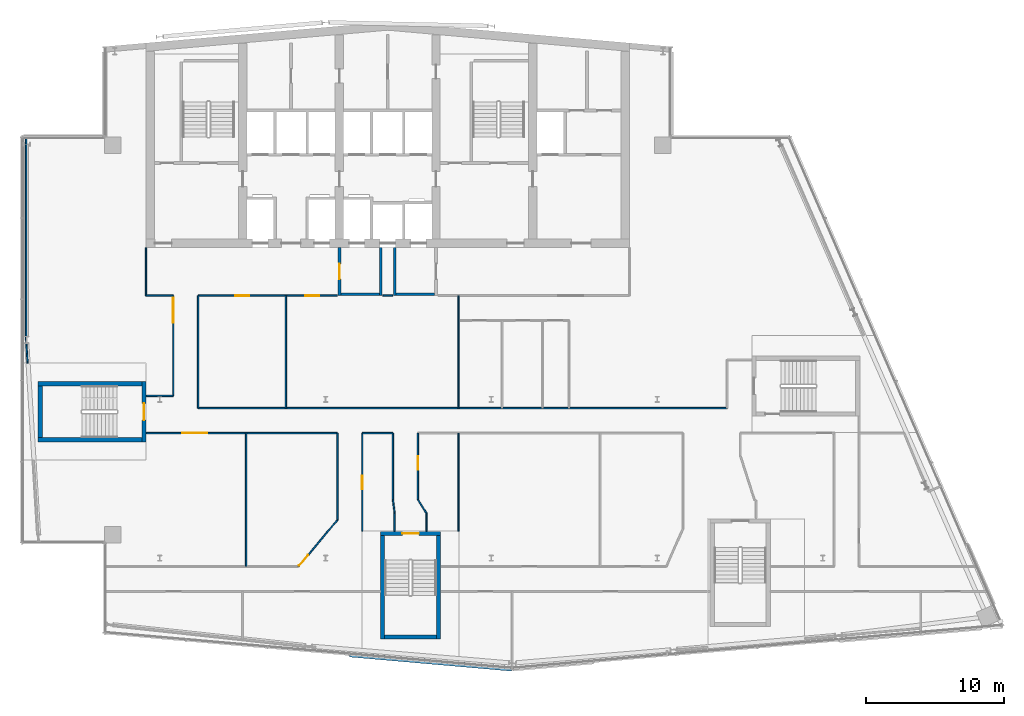
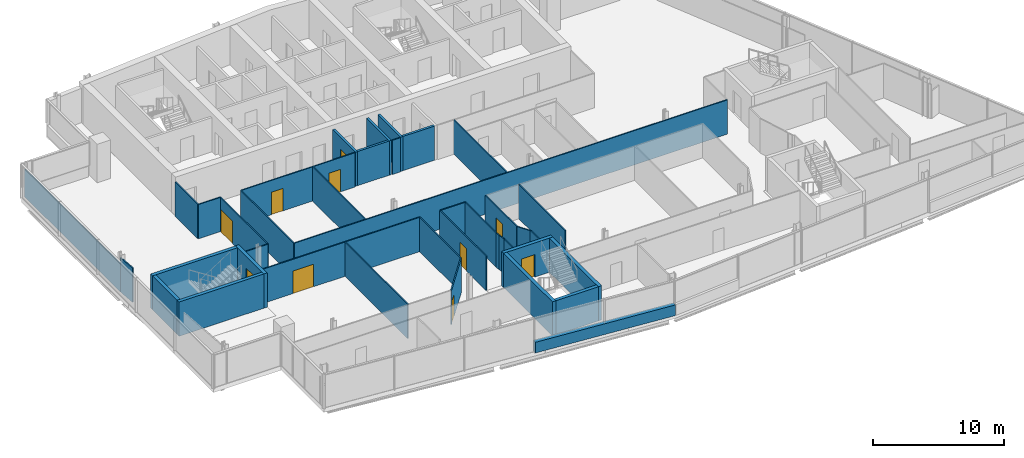
# One storey, part 14 of 22: 40 walls, 10 doors, 10 openings.
"""IFC4 building model written with IfcOpenShell, lengths in metres."""

from ifc_helpers import new_model, si_unit, direction, frame, frame_2d, origin, place, context, subcontext, project, spatial, rectangle, extrude, material, layer, layer_set, type_object, element, fill, save


model = new_model("IFC4")

# Units and contexts
model_context = context("Model", 3, precision=1e-05, world=origin(), true_north=direction((0.0, 1.0)))
body_context = subcontext(model_context, "Body", "Model", "MODEL_VIEW")
ifc_project = project(units=[si_unit("LENGTHUNIT", "METRE"), si_unit("AREAUNIT", "SQUARE_METRE"), si_unit("VOLUMEUNIT", "CUBIC_METRE"), si_unit("PLANEANGLEUNIT", "RADIAN"), si_unit("MASSUNIT", "GRAM", prefix="KILO")], contexts=[model_context])

# Site, building, storey
site_placement = place(None, origin())
site = spatial("IfcSite", under=ifc_project, at=site_placement, CompositionType="ELEMENT")
building_placement = place(site_placement, origin())
building = spatial("IfcBuilding", under=site, at=building_placement, Name="Wharfspan Tower", CompositionType="ELEMENT")
storey_placement = place(building_placement, frame((0.0, 0.0, 246.699951)))
storey = spatial("IfcBuildingStorey", under=building, at=storey_placement, Name="L62", CompositionType="ELEMENT", Elevation=246.699951)

# Walls
ifc_material_1 = material(Name="Gypsum board on steel studs", Category="steel")
ifc_layer_1 = layer(ifc_material_1, 0.100098)
ifc_layer_set_1 = layer_set([ifc_layer_1], Name="Gypsum board on steel studs")
wall_type_1 = type_object("IfcWallType", Name="Compartment wall 100 EI 60", PredefinedType="PARTITIONING", material=ifc_layer_set_1)
wall_1_placement = place(storey_placement, frame((23.0, 30.5, 0.0), z_axis=(0.0, 0.0, 1.0), x_axis=(0.0, 1.0, 0.0)))
element("IfcWall", 1, at=wall_1_placement, inside=storey, type_object=wall_type_1, Name="Partition L62.w006", PredefinedType="PARTITIONING", context=body_context, shape_type="SweptSolid", body=[
    extrude(rectangle(XDim=3.47998, YDim=0.100098, at=frame_2d((1.73999, 0.0))), origin(), (0.0, 0.0, 1.0), 3.199951),
])
wall_2_placement = place(storey_placement, frame((23.0, 30.5, 0.0), z_axis=(0.0, 0.0, 1.0), x_axis=(1.0, 0.0, 0.0)))
element("IfcWall", 2, at=wall_2_placement, inside=storey, type_object=wall_type_1, Name="Partition L62.w007", PredefinedType="PARTITIONING", context=body_context, shape_type="SweptSolid", body=[
    extrude(rectangle(XDim=1.969971, YDim=0.100098, at=frame_2d((0.984863, 0.0))), origin(), (0.0, 0.0, 1.0), 3.199951),
])

# Wall, opening, door
wall_3_placement = place(storey_placement, frame((23.02002, 20.554932, 0.0), z_axis=(0.0, 0.0, 1.0), x_axis=(1.0, 0.0, 0.0)))
wall_3 = element("IfcWall", 3, at=wall_3_placement, inside=storey, type_object=wall_type_1, Name="Partition L62.w008", PredefinedType="PARTITIONING", context=body_context, shape_type="SweptSolid", body=[
    extrude(rectangle(XDim=13.830078, YDim=0.100098, at=frame_2d((6.915039, 0.0))), origin(), (0.0, 0.0, 1.0), 3.199951),
])
opening_1_placement = place(wall_3_placement, frame((2.60498, 0.0, 0.0)))
opening_1 = element("IfcOpeningElement", 4, at=opening_1_placement, cuts=wall_3, Name="Opening D5-13", PredefinedType="OPENING", context=body_context, shape_type="SweptSolid", body=[
    extrude(rectangle(XDim=1.800049, YDim=2.100098, at=frame_2d((0.899902, 1.050049))), frame((0.0, 0.060059, 0.0), z_axis=(0.0, -1.0, 0.0), x_axis=(1.0, 0.0, 0.0)), (0.0, 0.0, 1.0), 0.120117),
])
ifc_material_2 = material(Name="Fire-rated timber door leaf in steel frame", Category="steel")
door_type_1 = type_object("IfcDoorType", Name="Door 1800 FD30S Double", OperationType="DOUBLE_DOOR_SINGLE_SWING", PredefinedType="DOOR", material=ifc_material_2)
door_1_placement = place(opening_1_placement, origin())
door_1 = element("IfcDoor", 5, at=door_1_placement, inside=storey, type_object=door_type_1, Name="Door D5-13", OperationType="DOUBLE_DOOR_SINGLE_SWING", OverallHeight=2.100098, OverallWidth=1.800049, PredefinedType="DOOR", context=body_context, shape_type="SweptSolid", body=[
    extrude(rectangle(XDim=1.800049, YDim=2.100098, at=frame_2d((0.899902, 1.050049))), frame((0.0, 0.024902, 0.0), z_axis=(0.0, -1.0, 0.0), x_axis=(1.0, 0.0, 0.0)), (0.0, 0.0, 1.0), 0.050049),
])
fill(opening_1, door_1)

# Wall
wall_4_placement = place(storey_placement, frame((23.02002, 23.25, 0.0), z_axis=(0.0, 0.0, 1.0), x_axis=(1.0, 0.0, 0.0)))
element("IfcWall", 6, at=wall_4_placement, inside=storey, type_object=wall_type_1, Name="Partition L62.w009", PredefinedType="PARTITIONING", context=body_context, shape_type="SweptSolid", body=[
    extrude(rectangle(XDim=1.949951, YDim=0.100098, at=frame_2d((0.975098, 0.0))), origin(), (0.0, 0.0, 1.0), 3.199951),
])

# Wall, opening, door
wall_5_placement = place(storey_placement, frame((24.969971, 23.25, 0.0), z_axis=(0.0, 0.0, 1.0), x_axis=(0.0, 1.0, 0.0)))
wall_5 = element("IfcWall", 7, at=wall_5_placement, inside=storey, type_object=wall_type_1, Name="Partition L62.w010", PredefinedType="PARTITIONING", context=body_context, shape_type="SweptSolid", body=[
    extrude(rectangle(XDim=7.25, YDim=0.100098, at=frame_2d((3.625, 0.0))), origin(), (0.0, 0.0, 1.0), 3.199951),
])
opening_2_placement = place(wall_5_placement, frame((5.300049, 0.0, 0.0)))
opening_2 = element("IfcOpeningElement", 8, at=opening_2_placement, cuts=wall_5, Name="Opening D5-18", PredefinedType="OPENING", context=body_context, shape_type="SweptSolid", body=[
    extrude(rectangle(XDim=1.800049, YDim=2.100098, at=frame_2d((0.899902, 1.050049))), frame((0.0, 0.060059, 0.0), z_axis=(0.0, -1.0, 0.0), x_axis=(1.0, 0.0, 0.0)), (0.0, 0.0, 1.0), 0.120117),
])
door_2_placement = place(opening_2_placement, origin())
door_2 = element("IfcDoor", 9, at=door_2_placement, inside=storey, type_object=door_type_1, Name="Door D5-18", OperationType="DOUBLE_DOOR_SINGLE_SWING", OverallHeight=2.100098, OverallWidth=1.800049, PredefinedType="DOOR", context=body_context, shape_type="SweptSolid", body=[
    extrude(rectangle(XDim=1.800049, YDim=2.100098, at=frame_2d((0.899902, 1.050049))), frame((0.0, 0.024902, 0.0), z_axis=(0.0, -1.0, 0.0), x_axis=(1.0, 0.0, 0.0)), (0.0, 0.0, 1.0), 0.050049),
])
fill(opening_2, door_2)

# Walls
wall_6_placement = place(storey_placement, frame((26.77002, 22.360107, 0.0), z_axis=(0.0, 0.0, 1.0), x_axis=(0.0, 1.0, 0.0)))
element("IfcWall", 10, at=wall_6_placement, inside=storey, type_object=wall_type_1, Name="Partition L62.w011", PredefinedType="PARTITIONING", context=body_context, shape_type="SweptSolid", body=[
    extrude(rectangle(XDim=8.139893, YDim=0.100098, at=frame_2d((4.069824, 0.0))), origin(), (0.0, 0.0, 1.0), 3.199951),
])
wall_7_placement = place(storey_placement, frame((26.77002, 22.360107, 0.0), z_axis=(0.0, 0.0, 1.0), x_axis=(1.0, 0.0, 0.0)))
element("IfcWall", 11, at=wall_7_placement, inside=storey, type_object=wall_type_1, Name="Partition L62.w012", PredefinedType="PARTITIONING", context=body_context, shape_type="SweptSolid", body=[
    extrude(rectangle(XDim=38.300049, YDim=0.100098, at=frame_2d((19.149902, 0.0))), origin(), (0.0, 0.0, 1.0), 3.199951),
])

# Wall, openings, doors
wall_8_placement = place(storey_placement, frame((26.77002, 30.5, 0.0), z_axis=(0.0, 0.0, 1.0), x_axis=(1.0, 0.0, 0.0)))
wall_8 = element("IfcWall", 12, at=wall_8_placement, inside=storey, type_object=wall_type_1, Name="Partition L62.w013", PredefinedType="PARTITIONING", context=body_context, shape_type="SweptSolid", body=[
    extrude(rectangle(XDim=10.080078, YDim=0.100098, at=frame_2d((5.040039, 0.0))), origin(), (0.0, 0.0, 1.0), 3.199951),
])
opening_3_placement = place(wall_8_placement, frame((2.699951, 0.0, 0.0)))
opening_3 = element("IfcOpeningElement", 13, at=opening_3_placement, cuts=wall_8, Name="Opening D5-19", PredefinedType="OPENING", context=body_context, shape_type="SweptSolid", body=[
    extrude(rectangle(XDim=1.0, YDim=2.100098, at=frame_2d((0.5, 1.050049))), frame((0.0, 0.060059, 0.0), z_axis=(0.0, -1.0, 0.0), x_axis=(1.0, 0.0, 0.0)), (0.0, 0.0, 1.0), 0.120117),
])
opening_4_placement = place(wall_8_placement, frame((7.774902, 0.0, 0.0)))
opening_4 = element("IfcOpeningElement", 14, at=opening_4_placement, cuts=wall_8, Name="Opening D5-20", PredefinedType="OPENING", context=body_context, shape_type="SweptSolid", body=[
    extrude(rectangle(XDim=1.0, YDim=2.100098, at=frame_2d((0.5, 1.050049))), frame((0.0, 0.060059, 0.0), z_axis=(0.0, -1.0, 0.0), x_axis=(1.0, 0.0, 0.0)), (0.0, 0.0, 1.0), 0.120117),
])
door_type_2 = type_object("IfcDoorType", Name="Door 1000 FD30S Left", OperationType="SINGLE_SWING_LEFT", PredefinedType="DOOR", material=ifc_material_2)
door_3_placement = place(opening_3_placement, origin())
door_3 = element("IfcDoor", 15, at=door_3_placement, inside=storey, type_object=door_type_2, Name="Door D5-19", OperationType="SINGLE_SWING_LEFT", OverallHeight=2.100098, OverallWidth=1.0, PredefinedType="DOOR", context=body_context, shape_type="SweptSolid", body=[
    extrude(rectangle(XDim=1.0, YDim=2.100098, at=frame_2d((0.5, 1.050049))), frame((0.0, 0.024902, 0.0), z_axis=(0.0, -1.0, 0.0), x_axis=(1.0, 0.0, 0.0)), (0.0, 0.0, 1.0), 0.050049),
])
fill(opening_3, door_3)
door_4_placement = place(opening_4_placement, origin())
door_4 = element("IfcDoor", 16, at=door_4_placement, inside=storey, type_object=door_type_2, Name="Door D5-20", OperationType="SINGLE_SWING_LEFT", OverallHeight=2.100098, OverallWidth=1.0, PredefinedType="DOOR", context=body_context, shape_type="SweptSolid", body=[
    extrude(rectangle(XDim=1.0, YDim=2.100098, at=frame_2d((0.5, 1.050049))), frame((0.0, 0.024902, 0.0), z_axis=(0.0, -1.0, 0.0), x_axis=(1.0, 0.0, 0.0)), (0.0, 0.0, 1.0), 0.050049),
])
fill(opening_4, door_4)

# Walls
wall_9_placement = place(storey_placement, frame((30.25, 10.899902, 0.0), z_axis=(0.0, 0.0, 1.0), x_axis=(0.0, 1.0, 0.0)))
element("IfcWall", 17, at=wall_9_placement, inside=storey, type_object=wall_type_1, Name="Partition L62.w015", PredefinedType="PARTITIONING", context=body_context, shape_type="SweptSolid", body=[
    extrude(rectangle(XDim=9.655029, YDim=0.100098, at=frame_2d((4.827637, 0.0))), origin(), (0.0, 0.0, 1.0), 3.199951),
])
wall_10_placement = place(storey_placement, frame((33.125, 22.360107, 0.0), z_axis=(0.0, 0.0, 1.0), x_axis=(0.0, 1.0, 0.0)))
element("IfcWall", 18, at=wall_10_placement, inside=storey, type_object=wall_type_1, Name="Partition L62.w016", PredefinedType="PARTITIONING", context=body_context, shape_type="SweptSolid", body=[
    extrude(rectangle(XDim=8.139893, YDim=0.100098, at=frame_2d((4.069824, 0.0))), origin(), (0.0, 0.0, 1.0), 3.199951),
])

# Wall, opening, door
wall_11_placement = place(storey_placement, frame((34.040039, 10.89502, 0.0), z_axis=(0.0, 0.0, 1.0), x_axis=(0.641555, 0.767079, 0.0)))
wall_11 = element("IfcWall", 19, at=wall_11_placement, inside=storey, type_object=wall_type_1, Name="Partition L62.w017", PredefinedType="PARTITIONING", context=body_context, shape_type="SweptSolid", body=[
    extrude(rectangle(XDim=4.380127, YDim=0.100098, at=frame_2d((2.189941, 0.0))), origin(), (0.0, 0.0, 1.0), 3.199951),
])
opening_5_placement = place(wall_11_placement, frame((0.080078, 0.0, 0.0)))
opening_5 = element("IfcOpeningElement", 20, at=opening_5_placement, cuts=wall_11, Name="Opening D5-09", PredefinedType="OPENING", context=body_context, shape_type="SweptSolid", body=[
    extrude(rectangle(XDim=1.0, YDim=2.100098, at=frame_2d((0.5, 1.050049))), frame((0.0, 0.060059, 0.0), z_axis=(0.0, -1.0, 0.0), x_axis=(1.0, 0.0, 0.0)), (0.0, 0.0, 1.0), 0.120117),
])
door_5_placement = place(opening_5_placement, origin())
door_5 = element("IfcDoor", 21, at=door_5_placement, inside=storey, type_object=door_type_2, Name="Door D5-09", OperationType="SINGLE_SWING_LEFT", OverallHeight=2.100098, OverallWidth=1.0, PredefinedType="DOOR", context=body_context, shape_type="SweptSolid", body=[
    extrude(rectangle(XDim=1.0, YDim=2.100098, at=frame_2d((0.5, 1.050049))), frame((0.0, 0.024902, 0.0), z_axis=(0.0, -1.0, 0.0), x_axis=(1.0, 0.0, 0.0)), (0.0, 0.0, 1.0), 0.050049),
])
fill(opening_5, door_5)

# Wall
wall_12_placement = place(storey_placement, frame((36.850098, 14.254883, 0.0), z_axis=(0.0, 0.0, 1.0), x_axis=(0.0, 1.0, 0.0)))
element("IfcWall", 22, at=wall_12_placement, inside=storey, type_object=wall_type_1, Name="Partition L62.w019", PredefinedType="PARTITIONING", context=body_context, shape_type="SweptSolid", body=[
    extrude(rectangle(XDim=6.300049, YDim=0.100098, at=frame_2d((3.149902, 0.0))), origin(), (0.0, 0.0, 1.0), 3.199951),
])

# Wall, opening, door
wall_13_placement = place(storey_placement, frame((38.655029, 13.463135, 0.0), z_axis=(0.0, 0.0, 1.0), x_axis=(0.0, 1.0, 0.0)))
wall_13 = element("IfcWall", 23, at=wall_13_placement, inside=storey, type_object=wall_type_1, Name="Partition L62.w020", PredefinedType="PARTITIONING", context=body_context, shape_type="SweptSolid", body=[
    extrude(rectangle(XDim=7.091797, YDim=0.100098, at=frame_2d((3.545898, 0.0))), origin(), (0.0, 0.0, 1.0), 3.199951),
])
opening_6_placement = place(wall_13_placement, frame((3.006836, 0.0, 0.0)))
opening_6 = element("IfcOpeningElement", 24, at=opening_6_placement, cuts=wall_13, Name="Opening D5-11", PredefinedType="OPENING", context=body_context, shape_type="SweptSolid", body=[
    extrude(rectangle(XDim=1.0, YDim=2.100098, at=frame_2d((0.5, 1.050049))), frame((0.0, 0.060059, 0.0), z_axis=(0.0, -1.0, 0.0), x_axis=(1.0, 0.0, 0.0)), (0.0, 0.0, 1.0), 0.120117),
])
door_6_placement = place(opening_6_placement, origin())
door_6 = element("IfcDoor", 25, at=door_6_placement, inside=storey, type_object=door_type_2, Name="Door D5-11", OperationType="SINGLE_SWING_LEFT", OverallHeight=2.100098, OverallWidth=1.0, PredefinedType="DOOR", context=body_context, shape_type="SweptSolid", body=[
    extrude(rectangle(XDim=1.0, YDim=2.100098, at=frame_2d((0.5, 1.050049))), frame((0.0, 0.024902, 0.0), z_axis=(0.0, -1.0, 0.0), x_axis=(1.0, 0.0, 0.0)), (0.0, 0.0, 1.0), 0.050049),
])
fill(opening_6, door_6)

# Walls
wall_14_placement = place(storey_placement, frame((38.655029, 20.554932, 0.0), z_axis=(0.0, 0.0, 1.0), x_axis=(1.0, 0.0, 0.0)))
element("IfcWall", 26, at=wall_14_placement, inside=storey, type_object=wall_type_1, Name="Partition L62.w021", PredefinedType="PARTITIONING", context=body_context, shape_type="SweptSolid", body=[
    extrude(rectangle(XDim=2.219971, YDim=0.100098, at=frame_2d((1.109863, 0.0))), origin(), (0.0, 0.0, 1.0), 3.199951),
])
wall_15_placement = place(storey_placement, frame((40.875, 15.745117, 0.0), z_axis=(0.0, 0.0, 1.0), x_axis=(0.0, 1.0, 0.0)))
element("IfcWall", 27, at=wall_15_placement, inside=storey, type_object=wall_type_1, Name="Partition L62.w022", PredefinedType="PARTITIONING", context=body_context, shape_type="SweptSolid", body=[
    extrude(rectangle(XDim=4.809814, YDim=0.100098, at=frame_2d((2.404785, 0.0))), origin(), (0.0, 0.0, 1.0), 3.199951),
])
wall_16_placement = place(storey_placement, frame((40.919922, 15.38501, 0.0), z_axis=(0.0, 0.0, 1.0), x_axis=(-0.123786, 0.992306, 0.0)))
element("IfcWall", 28, at=wall_16_placement, inside=storey, type_object=wall_type_1, Name="Partition L62.w023", PredefinedType="PARTITIONING", context=body_context, shape_type="SweptSolid", body=[
    extrude(rectangle(XDim=0.362793, YDim=0.100098, at=frame_2d((0.181396, 0.0))), origin(), (0.0, 0.0, 1.0), 3.199951),
])
wall_17_placement = place(storey_placement, frame((41.0, 14.77002, 0.0), z_axis=(0.0, 0.0, 1.0), x_axis=(-0.12912, 0.991626, 0.0)))
element("IfcWall", 29, at=wall_17_placement, inside=storey, type_object=wall_type_1, Name="Partition L62.w024", PredefinedType="PARTITIONING", context=body_context, shape_type="SweptSolid", body=[
    extrude(rectangle(XDim=0.620117, YDim=0.100098, at=frame_2d((0.310059, 0.0))), origin(), (0.0, 0.0, 1.0), 3.199951),
])
wall_18_placement = place(storey_placement, frame((41.0, 13.463135, 0.0), z_axis=(0.0, 0.0, 1.0), x_axis=(0.0, 1.0, 0.0)))
element("IfcWall", 30, at=wall_18_placement, inside=storey, type_object=wall_type_1, Name="Partition L62.w025", PredefinedType="PARTITIONING", context=body_context, shape_type="SweptSolid", body=[
    extrude(rectangle(XDim=1.281982, YDim=0.100098, at=frame_2d((0.641113, 0.0))), origin(), (0.0, 0.0, 1.0), 3.199951),
])

# Wall, opening, door
wall_19_placement = place(storey_placement, frame((42.679932, 15.745117, 0.0), z_axis=(0.0, 0.0, 1.0), x_axis=(0.0, 1.0, 0.0)))
wall_19 = element("IfcWall", 31, at=wall_19_placement, inside=storey, type_object=wall_type_1, Name="Partition L62.w026", PredefinedType="PARTITIONING", context=body_context, shape_type="SweptSolid", body=[
    extrude(rectangle(XDim=4.809814, YDim=0.100098, at=frame_2d((2.404785, 0.0))), origin(), (0.0, 0.0, 1.0), 3.199951),
])
opening_7_placement = place(wall_19_placement, frame((2.145752, 0.0, 0.0)))
opening_7 = element("IfcOpeningElement", 32, at=opening_7_placement, cuts=wall_19, Name="Opening D5-12", PredefinedType="OPENING", context=body_context, shape_type="SweptSolid", body=[
    extrude(rectangle(XDim=1.0, YDim=2.100098, at=frame_2d((0.5, 1.050049))), frame((0.0, 0.060059, 0.0), z_axis=(0.0, -1.0, 0.0), x_axis=(1.0, 0.0, 0.0)), (0.0, 0.0, 1.0), 0.120117),
])
door_type_3 = type_object("IfcDoorType", Name="Door 1000 FD30S Right", OperationType="SINGLE_SWING_RIGHT", PredefinedType="DOOR", material=ifc_material_2)
door_7_placement = place(opening_7_placement, origin())
door_7 = element("IfcDoor", 33, at=door_7_placement, inside=storey, type_object=door_type_3, Name="Door D5-12", OperationType="SINGLE_SWING_RIGHT", OverallHeight=2.100098, OverallWidth=1.0, PredefinedType="DOOR", context=body_context, shape_type="SweptSolid", body=[
    extrude(rectangle(XDim=1.0, YDim=2.100098, at=frame_2d((0.5, 1.050049))), frame((0.0, 0.024902, 0.0), z_axis=(0.0, -1.0, 0.0), x_axis=(1.0, 0.0, 0.0)), (0.0, 0.0, 1.0), 0.050049),
])
fill(opening_7, door_7)

# Walls
wall_20_placement = place(storey_placement, frame((43.304932, 13.463135, 0.0), z_axis=(0.0, 0.0, 1.0), x_axis=(0.0, 1.0, 0.0)))
element("IfcWall", 34, at=wall_20_placement, inside=storey, type_object=wall_type_1, Name="Partition L62.w028", PredefinedType="PARTITIONING", context=body_context, shape_type="SweptSolid", body=[
    extrude(rectangle(XDim=1.281982, YDim=0.100098, at=frame_2d((0.641113, 0.0))), origin(), (0.0, 0.0, 1.0), 3.199951),
])
wall_21_placement = place(storey_placement, frame((43.304932, 14.745117, 0.0), z_axis=(0.0, 0.0, 1.0), x_axis=(-0.53, 0.848, 0.0)))
element("IfcWall", 35, at=wall_21_placement, inside=storey, type_object=wall_type_1, Name="Partition L62.w029", PredefinedType="PARTITIONING", context=body_context, shape_type="SweptSolid", body=[
    extrude(rectangle(XDim=1.179199, YDim=0.100098, at=frame_2d((0.5896, 0.0))), origin(), (0.0, 0.0, 1.0), 3.199951),
])
wall_22_placement = place(storey_placement, frame((45.625, 13.463135, 0.0), z_axis=(0.0, 0.0, 1.0), x_axis=(0.0, 1.0, 0.0)))
element("IfcWall", 36, at=wall_22_placement, inside=storey, type_object=wall_type_1, Name="Partition L62.w032", PredefinedType="PARTITIONING", context=body_context, shape_type="SweptSolid", body=[
    extrude(rectangle(XDim=7.091797, YDim=0.100098, at=frame_2d((3.545898, 0.0))), origin(), (0.0, 0.0, 1.0), 3.199951),
])
wall_23_placement = place(storey_placement, frame((45.625, 22.360107, 0.0), z_axis=(0.0, 0.0, 1.0), x_axis=(0.0, 1.0, 0.0)))
element("IfcWall", 37, at=wall_23_placement, inside=storey, type_object=wall_type_1, Name="Partition L62.w033", PredefinedType="PARTITIONING", context=body_context, shape_type="SweptSolid", body=[
    extrude(rectangle(XDim=8.129883, YDim=0.100098, at=frame_2d((4.064941, 0.0))), origin(), (0.0, 0.0, 1.0), 3.199951),
])
wall_24_placement = place(storey_placement, frame((40.149902, 30.5, 0.0), z_axis=(0.0, 0.0, 1.0), x_axis=(1.0, 0.0, 0.0)))
element("IfcWall", 38, at=wall_24_placement, inside=storey, type_object=wall_type_1, Name="Partition L62.w013 (2)", PredefinedType="PARTITIONING", context=body_context, shape_type="SweptSolid", body=[
    extrude(rectangle(XDim=0.700195, YDim=0.100098, at=frame_2d((0.350098, 0.0))), origin(), (0.0, 0.0, 1.0), 3.199951),
])

# Wall, opening, door
ifc_material_3 = material(Name="Concrete C30/37", Category="concrete")
ifc_layer_2 = layer(ifc_material_3, 0.199951)
ifc_layer_set_2 = layer_set([ifc_layer_2], Name="Concrete C30/37")
wall_type_2 = type_object("IfcWallType", Name="Lobby wall 200", PredefinedType="PARTITIONING", material=ifc_layer_set_2)
wall_25_placement = place(storey_placement, frame((37.0, 30.5, 0.0), z_axis=(0.0, 0.0, 1.0), x_axis=(0.0, 1.0, 0.0)))
wall_25 = element("IfcWall", 39, at=wall_25_placement, inside=storey, type_object=wall_type_2, Name="sw:L62:FLFF1W", PredefinedType="PARTITIONING", context=body_context, shape_type="SweptSolid", body=[
    extrude(rectangle(XDim=3.5, YDim=0.199951, at=frame_2d((1.75, 0.0))), origin(), (0.0, 0.0, 1.0), 3.199951),
])
opening_8_placement = place(wall_25_placement, frame((1.199951, 0.0, 0.0)))
opening_8 = element("IfcOpeningElement", 40, at=opening_8_placement, cuts=wall_25, Name="Opening FL.FF1.L62", PredefinedType="OPENING", context=body_context, shape_type="SweptSolid", body=[
    extrude(rectangle(XDim=1.100098, YDim=2.100098, at=frame_2d((0.550049, 1.050049))), frame((0.0, 0.109863, 0.0), z_axis=(0.0, -1.0, 0.0), x_axis=(1.0, 0.0, 0.0)), (0.0, 0.0, 1.0), 0.219971),
])
ifc_material_4 = material(Name="Steel door leaf", Category="steel")
door_type_4 = type_object("IfcDoorType", Name="Firefighting lobby door 1100x2100", OperationType="SINGLE_SWING_LEFT", PredefinedType="DOOR", material=ifc_material_4)
door_8_placement = place(opening_8_placement, origin())
door_8 = element("IfcDoor", 41, at=door_8_placement, inside=storey, type_object=door_type_4, Name="fd:L62:FF1", OperationType="SINGLE_SWING_LEFT", OverallHeight=2.100098, OverallWidth=1.100098, PredefinedType="DOOR", context=body_context, shape_type="SweptSolid", body=[
    extrude(rectangle(XDim=1.100098, YDim=2.100098, at=frame_2d((0.550049, 1.050049))), frame((0.0, 0.024902, 0.0), z_axis=(0.0, -1.0, 0.0), x_axis=(1.0, 0.0, 0.0)), (0.0, 0.0, 1.0), 0.050049),
])
fill(opening_8, door_8)

# Walls
wall_26_placement = place(storey_placement, frame((40.0, 30.5, 0.0), z_axis=(0.0, 0.0, 1.0), x_axis=(0.0, 1.0, 0.0)))
element("IfcWall", 42, at=wall_26_placement, inside=storey, type_object=wall_type_2, Name="sw:L62:FLFF1E", PredefinedType="PARTITIONING", context=body_context, shape_type="SweptSolid", body=[
    extrude(rectangle(XDim=3.5, YDim=0.199951, at=frame_2d((1.75, 0.0))), origin(), (0.0, 0.0, 1.0), 3.199951),
])
wall_27_placement = place(storey_placement, frame((37.100098, 30.600098, 0.0), z_axis=(0.0, 0.0, 1.0), x_axis=(1.0, 0.0, 0.0)))
element("IfcWall", 43, at=wall_27_placement, inside=storey, type_object=wall_type_2, Name="sw:L62:FLFF1F", PredefinedType="PARTITIONING", context=body_context, shape_type="SweptSolid", body=[
    extrude(rectangle(XDim=2.799805, YDim=0.199951, at=frame_2d((1.399902, 0.0))), origin(), (0.0, 0.0, 1.0), 3.199951),
])
wall_28_placement = place(storey_placement, frame((41.0, 30.5, 0.0), z_axis=(0.0, 0.0, 1.0), x_axis=(0.0, 1.0, 0.0)))
element("IfcWall", 44, at=wall_28_placement, inside=storey, type_object=wall_type_2, Name="sw:L62:FLFF2W", PredefinedType="PARTITIONING", context=body_context, shape_type="SweptSolid", body=[
    extrude(rectangle(XDim=3.5, YDim=0.199951, at=frame_2d((1.75, 0.0))), origin(), (0.0, 0.0, 1.0), 3.199951),
])
wall_29_placement = place(storey_placement, frame((41.100098, 30.600098, 0.0), z_axis=(0.0, 0.0, 1.0), x_axis=(1.0, 0.0, 0.0)))
element("IfcWall", 45, at=wall_29_placement, inside=storey, type_object=wall_type_2, Name="sw:L62:FLFF2F", PredefinedType="PARTITIONING", context=body_context, shape_type="SweptSolid", body=[
    extrude(rectangle(XDim=2.799805, YDim=0.199951, at=frame_2d((1.399902, 0.0))), origin(), (0.0, 0.0, 1.0), 3.199951),
])
ifc_layer_3 = layer(ifc_material_1, 0.100098)
ifc_layer_set_3 = layer_set([ifc_layer_3], Name="Gypsum board on steel studs")
wall_type_3 = type_object("IfcWallType", Name="Partition 100", PredefinedType="PARTITIONING", material=ifc_layer_set_3)
wall_30_placement = place(storey_placement, frame((14.324951, 27.300049, 0.0), z_axis=(0.0, 0.0, 1.0), x_axis=(0.0, 1.0, 0.0)))
element("IfcWall", 46, at=wall_30_placement, inside=storey, type_object=wall_type_3, Name="Partition L62.w001", PredefinedType="PARTITIONING", context=body_context, shape_type="SweptSolid", body=[
    extrude(rectangle(XDim=14.679932, YDim=0.100098, at=frame_2d((7.339844, 0.0))), origin(), (0.0, 0.0, 1.0), 2.580078),
])
wall_31_placement = place(storey_placement, frame((14.428711, 25.620117, 0.0), z_axis=(0.0, 0.0, 1.0), x_axis=(-0.061647, 0.998101, 0.0)))
element("IfcWall", 47, at=wall_31_placement, inside=storey, type_object=wall_type_3, Name="Partition L62.w002", PredefinedType="PARTITIONING", context=body_context, shape_type="SweptSolid", body=[
    extrude(rectangle(XDim=1.683105, YDim=0.100098, at=frame_2d((0.841553, 0.0))), origin(), (0.0, 0.0, 1.0), 3.199951),
])
ifc_material_5 = material(Name="Concrete C40/50", Category="concrete")
ifc_layer_4 = layer(ifc_material_5, 0.350098)
ifc_layer_set_4 = layer_set([ifc_layer_4], Name="Concrete C40/50")
wall_type_4 = type_object("IfcWallType", Name="SPANDREL EXPOSED CONCRETE 350", PredefinedType="SOLIDWALL", material=ifc_layer_set_4)
wall_32_placement = place(storey_placement, frame((37.729492, 4.519043, 0.0), z_axis=(0.0, 0.0, 1.0), x_axis=(0.99619, -0.087167, 0.0)))
element("IfcWall", 48, at=wall_32_placement, inside=storey, type_object=wall_type_4, Name="Spandrel upstand L62 S1", PredefinedType="SOLIDWALL", context=body_context, shape_type="SweptSolid", body=[
    extrude(rectangle(XDim=11.830566, YDim=0.350098, at=frame_2d((5.915283, 0.0))), origin(), (0.0, 0.0, 1.0), 1.0),
])

# Wall, opening, door
ifc_layer_5 = layer(ifc_material_5, 0.300049)
ifc_layer_set_5 = layer_set([ifc_layer_5], Name="Concrete C40/50")
wall_type_5 = type_object("IfcWallType", Name="Stair core wall 300", PredefinedType="SHEAR", material=ifc_layer_set_5)
wall_33_placement = place(storey_placement, frame((22.850098, 19.925049, 0.0), z_axis=(0.0, 0.0, 1.0), x_axis=(0.0, 1.0, 0.0)))
wall_33 = element("IfcWall", 49, at=wall_33_placement, inside=storey, type_object=wall_type_5, Name="ST3 stair enclosure wall L62", PredefinedType="SHEAR", context=body_context, shape_type="SweptSolid", body=[
    extrude(rectangle(XDim=4.349854, YDim=0.300049, at=frame_2d((2.174805, 0.0))), origin(), (0.0, 0.0, 1.0), 3.199951),
])
opening_9_placement = place(wall_33_placement, frame((1.574951, 0.0, 0.0)))
opening_9 = element("IfcOpeningElement", 50, at=opening_9_placement, cuts=wall_33, Name="Opening SD3.L62", PredefinedType="OPENING", context=body_context, shape_type="SweptSolid", body=[
    extrude(rectangle(XDim=1.199951, YDim=2.100098, at=frame_2d((0.600098, 1.050049))), frame((0.0, 0.159912, 0.0), z_axis=(0.0, -1.0, 0.0), x_axis=(1.0, 0.0, 0.0)), (0.0, 0.0, 1.0), 0.320068),
])
door_type_5 = type_object("IfcDoorType", Name="Stair door 1200x2100", OperationType="SINGLE_SWING_LEFT", PredefinedType="DOOR", material=ifc_material_4)
door_9_placement = place(opening_9_placement, origin())
door_9 = element("IfcDoor", 51, at=door_9_placement, inside=storey, type_object=door_type_5, Name="sd:L62:ST3z4", OperationType="SINGLE_SWING_RIGHT", OverallHeight=2.100098, OverallWidth=1.199951, PredefinedType="DOOR", context=body_context, shape_type="SweptSolid", body=[
    extrude(rectangle(XDim=1.199951, YDim=2.100098, at=frame_2d((0.600098, 1.050049))), frame((0.0, 0.024902, 0.0), z_axis=(0.0, -1.0, 0.0), x_axis=(1.0, 0.0, 0.0)), (0.0, 0.0, 1.0), 0.050049),
])
fill(opening_9, door_9)

wall_34_placement = place(storey_placement, frame((39.977051, 13.293213, 0.0), z_axis=(0.0, 0.0, 1.0), x_axis=(1.0, 0.0, 0.0)))
wall_34 = element("IfcWall", 52, at=wall_34_placement, inside=storey, type_object=wall_type_5, Name="ST4 stair enclosure wall L62", PredefinedType="SHEAR", context=body_context, shape_type="SweptSolid", body=[
    extrude(rectangle(XDim=4.350098, YDim=0.300049, at=frame_2d((2.175049, 0.0))), origin(), (0.0, 0.0, 1.0), 3.199951),
])
opening_10_placement = place(wall_34_placement, frame((1.574951, 0.0, 0.0)))
opening_10 = element("IfcOpeningElement", 53, at=opening_10_placement, cuts=wall_34, Name="Opening SD4.L62", PredefinedType="OPENING", context=body_context, shape_type="SweptSolid", body=[
    extrude(rectangle(XDim=1.199951, YDim=2.100098, at=frame_2d((0.600098, 1.050049))), frame((0.0, 0.159912, 0.0), z_axis=(0.0, -1.0, 0.0), x_axis=(1.0, 0.0, 0.0)), (0.0, 0.0, 1.0), 0.320068),
])
door_10_placement = place(opening_10_placement, origin())
door_10 = element("IfcDoor", 54, at=door_10_placement, inside=storey, type_object=door_type_5, Name="sd:L62:ST4z4", OperationType="SINGLE_SWING_RIGHT", OverallHeight=2.100098, OverallWidth=1.199951, PredefinedType="DOOR", context=body_context, shape_type="SweptSolid", body=[
    extrude(rectangle(XDim=1.199951, YDim=2.100098, at=frame_2d((0.600098, 1.050049))), frame((0.0, 0.024902, 0.0), z_axis=(0.0, -1.0, 0.0), x_axis=(1.0, 0.0, 0.0)), (0.0, 0.0, 1.0), 0.050049),
])
fill(opening_10, door_10)

# Walls
for number, where, z_axis, x_axis, name in (
    (55, (15.199951, 20.074951, 0.0), (0.0, 0.0, 1.0), (1.0, 0.0, 0.0), "ST3 stair enclosure wall L62"),
    (56, (15.199951, 24.125, 0.0), (0.0, 0.0, 1.0), (1.0, 0.0, 0.0), "ST3 stair enclosure wall L62"),
):
    element("IfcWall", number, at=place(storey_placement, frame(where, z_axis=z_axis, x_axis=x_axis)), inside=storey, type_object=wall_type_5, Name=name, PredefinedType="SHEAR", context=body_context, shape_type="SweptSolid", body=[
        extrude(rectangle(XDim=7.5, YDim=0.300049, at=frame_2d((3.75, 0.0))), origin(), (0.0, 0.0, 1.0), 3.199951),
    ])
wall_35_placement = place(storey_placement, frame((15.350098, 20.225098, 0.0), z_axis=(0.0, 0.0, 1.0), x_axis=(0.0, 1.0, 0.0)))
element("IfcWall", 57, at=wall_35_placement, inside=storey, type_object=wall_type_5, Name="ST3 stair enclosure wall L62", PredefinedType="SHEAR", context=body_context, shape_type="SweptSolid", body=[
    extrude(rectangle(XDim=3.75, YDim=0.300049, at=frame_2d((1.875, 0.0))), origin(), (0.0, 0.0, 1.0), 3.199951),
])
for number, where, z_axis, x_axis, name in (
    (58, (40.127197, 5.643311, 0.0), (0.0, 0.0, 1.0), (0.0, 1.0, 0.0), "ST4 stair enclosure wall L62"),
    (59, (44.177002, 5.643311, 0.0), (0.0, 0.0, 1.0), (0.0, 1.0, 0.0), "ST4 stair enclosure wall L62"),
):
    element("IfcWall", number, at=place(storey_placement, frame(where, z_axis=z_axis, x_axis=x_axis)), inside=storey, type_object=wall_type_5, Name=name, PredefinedType="SHEAR", context=body_context, shape_type="SweptSolid", body=[
        extrude(rectangle(XDim=7.5, YDim=0.300049, at=frame_2d((3.75, 0.0))), origin(), (0.0, 0.0, 1.0), 3.199951),
    ])
wall_36_placement = place(storey_placement, frame((40.2771, 5.793213, 0.0), z_axis=(0.0, 0.0, 1.0), x_axis=(1.0, 0.0, 0.0)))
element("IfcWall", 60, at=wall_36_placement, inside=storey, type_object=wall_type_5, Name="ST4 stair enclosure wall L62", PredefinedType="SHEAR", context=body_context, shape_type="SweptSolid", body=[
    extrude(rectangle(XDim=3.75, YDim=0.300049, at=frame_2d((1.875, 0.0))), origin(), (0.0, 0.0, 1.0), 3.199951),
])

save(model, "model.ifc")
